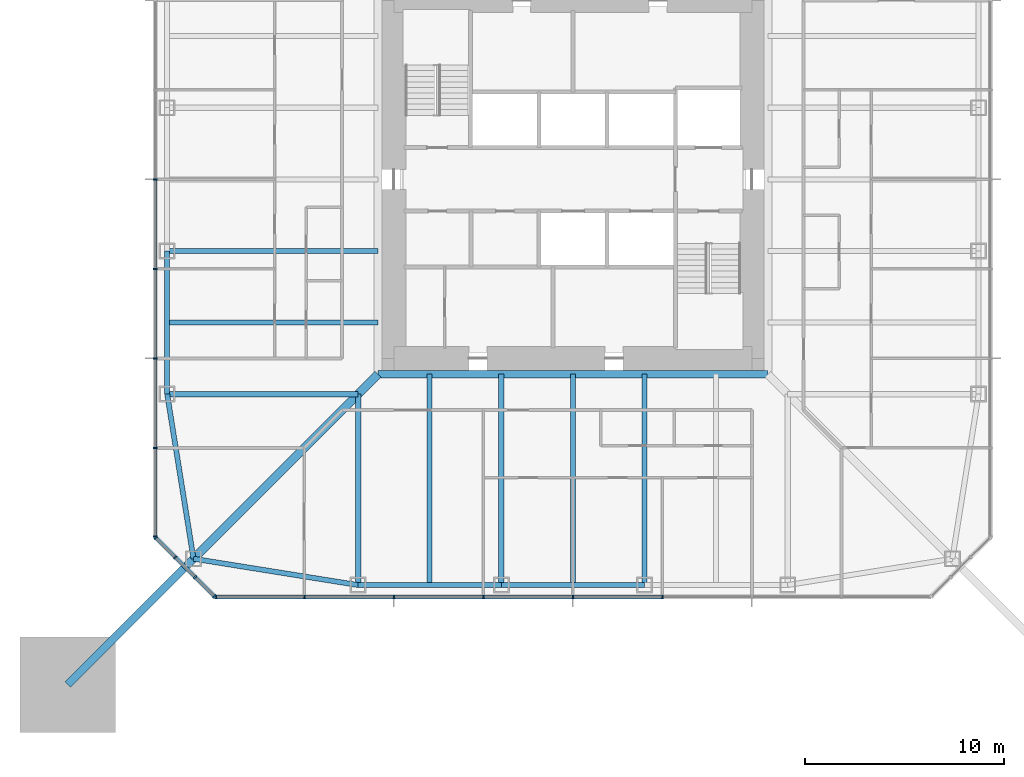
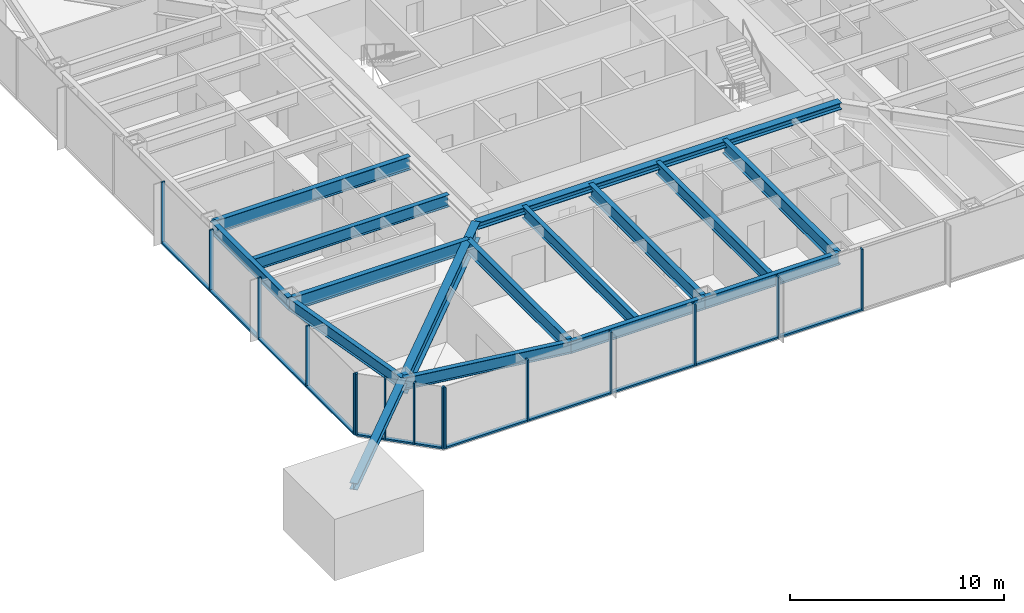
# One storey, part 3 of 25: 28 members, 15 beams, 3 elements without a shape of their own.
"""IFC4 building model written with IfcOpenShell, lengths in metres."""

from ifc_helpers import new_model, si_unit, direction, frame, origin, origin_2d, place, context, subcontext, project, spatial, rectangle, i_section, extrude, material, material_profile, profile_set, type_object, element, aggregate, save


model = new_model("IFC4")

# Units and contexts
model_context = context("Model", 3, precision=1e-05, world=origin(), true_north=direction((0.0, 1.0)))
body_context = subcontext(model_context, "Body", "Model", "MODEL_VIEW")
ifc_project = project(units=[si_unit("LENGTHUNIT", "METRE"), si_unit("AREAUNIT", "SQUARE_METRE"), si_unit("VOLUMEUNIT", "CUBIC_METRE"), si_unit("PLANEANGLEUNIT", "RADIAN"), si_unit("MASSUNIT", "GRAM", prefix="KILO")], contexts=[model_context])

# Site, building, storey
site_placement = place(None, origin())
site = spatial("IfcSite", under=ifc_project, at=site_placement, CompositionType="ELEMENT")
building_placement = place(site_placement, origin())
building = spatial("IfcBuilding", under=site, at=building_placement, Name="Iwan Alto Co-Living Towers", CompositionType="ELEMENT")
storey_placement = place(building_placement, frame((0.0, 0.0, 112.0)))
storey = spatial("IfcBuildingStorey", under=building, at=storey_placement, Name="L30", CompositionType="ELEMENT", Elevation=112.0)

# Curtain wall, members
ifc_material_1 = material(Name="Bronze aluminium unitised frame", Category="aluminium")
curtain_wall_type_1 = type_object("IfcCurtainWallType", Name="CURTAIN WALL CW-A", PredefinedType="NOTDEFINED", material=ifc_material_1)
curtain_wall_1_placement = place(storey_placement, origin())
curtain_wall_1 = element("IfcCurtainWall", 1, at=curtain_wall_1_placement, inside=storey, type_object=curtain_wall_type_1, Name="T1 curtain wall S L30", PredefinedType="NOTDEFINED")
ifc_material_2 = material(Name="Aluminium 6063-T6 bronze anodised", Category="aluminium")
ifc_material_profile_1 = material_profile(ifc_material_2, rectangle(XDim=0.199951171875, YDim=0.080078125, at=origin_2d()), Name="AL 80X200")
ifc_profile_set_1 = profile_set([ifc_material_profile_1], Name="Aluminium 6063-T6 bronze anodised")
member_type_1 = type_object("IfcMemberType", Name="CW-A MULLION 80X200", PredefinedType="MULLION", material=ifc_profile_set_1)
member_1_placement = place(storey_placement, frame((-17.9599609375, -21.0, 0.0), z_axis=(0.0, 0.0, 1.0), x_axis=(0.0, 1.0, 0.0)))
member_1 = element("IfcMember", 2, at=member_1_placement, type_object=member_type_1, Name="CW-A mullion 1", PredefinedType="MULLION", context=body_context, shape_type="SweptSolid", body=[
    extrude(rectangle(XDim=0.199951171875, YDim=0.080078125, at=origin_2d()), origin(), (0.0, 0.0, 1.0), 3.5),
])
member_2_placement = place(storey_placement, frame((-13.5, -21.0, 0.0), z_axis=(0.0, 0.0, 1.0), x_axis=(0.0, 1.0, 0.0)))
member_2 = element("IfcMember", 3, at=member_2_placement, type_object=member_type_1, Name="CW-A mullion 2", PredefinedType="MULLION", context=body_context, shape_type="SweptSolid", body=[
    extrude(rectangle(XDim=0.199951171875, YDim=0.080078125, at=origin_2d()), origin(), (0.0, 0.0, 1.0), 3.5),
])
member_3_placement = place(storey_placement, frame((-9.0, -21.0, 0.0), z_axis=(0.0, 0.0, 1.0), x_axis=(0.0, 1.0, 0.0)))
member_3 = element("IfcMember", 4, at=member_3_placement, type_object=member_type_1, Name="CW-A mullion 3", PredefinedType="MULLION", context=body_context, shape_type="SweptSolid", body=[
    extrude(rectangle(XDim=0.199951171875, YDim=0.080078125, at=origin_2d()), origin(), (0.0, 0.0, 1.0), 3.5),
])
member_4_placement = place(storey_placement, frame((-4.5, -21.0, 0.0), z_axis=(0.0, 0.0, 1.0), x_axis=(0.0, 1.0, 0.0)))
member_4 = element("IfcMember", 5, at=member_4_placement, type_object=member_type_1, Name="CW-A mullion 4", PredefinedType="MULLION", context=body_context, shape_type="SweptSolid", body=[
    extrude(rectangle(XDim=0.199951171875, YDim=0.080078125, at=origin_2d()), origin(), (0.0, 0.0, 1.0), 3.5),
])
member_5_placement = place(storey_placement, frame((0.0, -21.0, 0.0), z_axis=(0.0, 0.0, 1.0), x_axis=(0.0, 1.0, 0.0)))
member_5 = element("IfcMember", 6, at=member_5_placement, type_object=member_type_1, Name="CW-A mullion 5", PredefinedType="MULLION", context=body_context, shape_type="SweptSolid", body=[
    extrude(rectangle(XDim=0.199951171875, YDim=0.080078125, at=origin_2d()), origin(), (0.0, 0.0, 1.0), 3.5),
])
member_6_placement = place(storey_placement, frame((4.5, -21.0, 0.0), z_axis=(0.0, 0.0, 1.0), x_axis=(0.0, 1.0, 0.0)))
member_6 = element("IfcMember", 7, at=member_6_placement, type_object=member_type_1, Name="CW-A mullion 6", PredefinedType="MULLION", context=body_context, shape_type="SweptSolid", body=[
    extrude(rectangle(XDim=0.199951171875, YDim=0.080078125, at=origin_2d()), origin(), (0.0, 0.0, 1.0), 3.5),
])

curtain_wall_2_placement = place(storey_placement, origin())
curtain_wall_2 = element("IfcCurtainWall", 8, at=curtain_wall_2_placement, inside=storey, type_object=curtain_wall_type_1, Name="T1 curtain wall W L30", PredefinedType="NOTDEFINED")
member_7_placement = place(storey_placement, frame((-21.0, 0.0, 0.0), z_axis=(0.0, 0.0, 1.0), x_axis=(1.0, 0.0, 0.0)))
member_7 = element("IfcMember", 9, at=member_7_placement, type_object=member_type_1, Name="CW-A mullion 5", PredefinedType="MULLION", context=body_context, shape_type="SweptSolid", body=[
    extrude(rectangle(XDim=0.199951171875, YDim=0.080078125, at=origin_2d()), origin(), (0.0, 0.0, 1.0), 3.5),
])
member_8_placement = place(storey_placement, frame((-21.0, -4.5, 0.0), z_axis=(0.0, 0.0, 1.0), x_axis=(1.0, 0.0, 0.0)))
member_8 = element("IfcMember", 10, at=member_8_placement, type_object=member_type_1, Name="CW-A mullion 6", PredefinedType="MULLION", context=body_context, shape_type="SweptSolid", body=[
    extrude(rectangle(XDim=0.199951171875, YDim=0.080078125, at=origin_2d()), origin(), (0.0, 0.0, 1.0), 3.5),
])
member_9_placement = place(storey_placement, frame((-21.0, -9.0, 0.0), z_axis=(0.0, 0.0, 1.0), x_axis=(1.0, 0.0, 0.0)))
member_9 = element("IfcMember", 11, at=member_9_placement, type_object=member_type_1, Name="CW-A mullion 7", PredefinedType="MULLION", context=body_context, shape_type="SweptSolid", body=[
    extrude(rectangle(XDim=0.199951171875, YDim=0.080078125, at=origin_2d()), origin(), (0.0, 0.0, 1.0), 3.5),
])
member_10_placement = place(storey_placement, frame((-21.0, -13.5, 0.0), z_axis=(0.0, 0.0, 1.0), x_axis=(1.0, 0.0, 0.0)))
member_10 = element("IfcMember", 12, at=member_10_placement, type_object=member_type_1, Name="CW-A mullion 8", PredefinedType="MULLION", context=body_context, shape_type="SweptSolid", body=[
    extrude(rectangle(XDim=0.199951171875, YDim=0.080078125, at=origin_2d()), origin(), (0.0, 0.0, 1.0), 3.5),
])
member_11_placement = place(storey_placement, frame((-21.0, -17.9599609375, 0.0), z_axis=(0.0, 0.0, 1.0), x_axis=(1.0, 0.0, 0.0)))
member_11 = element("IfcMember", 13, at=member_11_placement, type_object=member_type_1, Name="CW-A mullion 9", PredefinedType="MULLION", context=body_context, shape_type="SweptSolid", body=[
    extrude(rectangle(XDim=0.199951171875, YDim=0.080078125, at=origin_2d()), origin(), (0.0, 0.0, 1.0), 3.5),
])

# Member
ifc_material_3 = material(Name="Aluminium 6063-T6 bronze anodised", Category="aluminium")
ifc_material_profile_2 = material_profile(ifc_material_3, rectangle(XDim=0.199951171875, YDim=0.10009765625, at=origin_2d()), Name="AL 200X100")
ifc_profile_set_2 = profile_set([ifc_material_profile_2], Name="Aluminium 6063-T6 bronze anodised")
member_type_2 = type_object("IfcMemberType", Name="CW-A TRANSOM 200X100", PredefinedType="USERDEFINED", material=ifc_profile_set_2)
member_12_placement = place(storey_placement, frame((-17.919921875, -21.0, 0.050048828125), z_axis=(1.0, 0.0, 0.0), x_axis=(0.0, 1.0, 0.0)))
member_12 = element("IfcMember", 14, at=member_12_placement, type_object=member_type_2, Name="CW-A transom 1.1", ObjectType="TRANSOM", PredefinedType="USERDEFINED", context=body_context, shape_type="SweptSolid", body=[
    extrude(rectangle(XDim=0.199951171875, YDim=0.10009765625, at=origin_2d()), origin(), (0.0, 0.0, 1.0), 4.3798828125),
])

member_13_placement = place(storey_placement, frame((-13.4599609375, -21.0, 0.050048828125), z_axis=(1.0, 0.0, 0.0), x_axis=(0.0, 1.0, 0.0)))
member_13 = element("IfcMember", 15, at=member_13_placement, type_object=member_type_2, Name="CW-A transom 2.1", ObjectType="TRANSOM", PredefinedType="USERDEFINED", context=body_context, shape_type="SweptSolid", body=[
    extrude(rectangle(XDim=0.199951171875, YDim=0.10009765625, at=origin_2d()), origin(), (0.0, 0.0, 1.0), 4.419921875),
])

member_14_placement = place(storey_placement, frame((-8.9599609375, -21.0, 0.050048828125), z_axis=(1.0, 0.0, 0.0), x_axis=(0.0, 1.0, 0.0)))
member_14 = element("IfcMember", 16, at=member_14_placement, type_object=member_type_2, Name="CW-A transom 3.1", ObjectType="TRANSOM", PredefinedType="USERDEFINED", context=body_context, shape_type="SweptSolid", body=[
    extrude(rectangle(XDim=0.199951171875, YDim=0.10009765625, at=origin_2d()), origin(), (0.0, 0.0, 1.0), 4.419921875),
])

member_15_placement = place(storey_placement, frame((-4.4599609375, -21.0, 0.050048828125), z_axis=(1.0, 0.0, 0.0), x_axis=(0.0, 1.0, 0.0)))
member_15 = element("IfcMember", 17, at=member_15_placement, type_object=member_type_2, Name="CW-A transom 4.1", ObjectType="TRANSOM", PredefinedType="USERDEFINED", context=body_context, shape_type="SweptSolid", body=[
    extrude(rectangle(XDim=0.199951171875, YDim=0.10009765625, at=origin_2d()), origin(), (0.0, 0.0, 1.0), 4.419921875),
])

member_16_placement = place(storey_placement, frame((0.0400390625, -21.0, 0.050048828125), z_axis=(1.0, 0.0, 0.0), x_axis=(0.0, 1.0, 0.0)))
member_16 = element("IfcMember", 18, at=member_16_placement, type_object=member_type_2, Name="CW-A transom 5.1", ObjectType="TRANSOM", PredefinedType="USERDEFINED", context=body_context, shape_type="SweptSolid", body=[
    extrude(rectangle(XDim=0.199951171875, YDim=0.10009765625, at=origin_2d()), origin(), (0.0, 0.0, 1.0), 4.419921875),
])

aggregate(curtain_wall_1, [member_1, member_2, member_3, member_4, member_5, member_6, member_12, member_13, member_14, member_15, member_16])

member_17_placement = place(storey_placement, frame((-21.0, -0.0400390625, 0.050048828125), z_axis=(0.0, -1.0, 0.0), x_axis=(1.0, 0.0, 0.0)))
member_17 = element("IfcMember", 19, at=member_17_placement, type_object=member_type_2, Name="CW-A transom 5.1", ObjectType="TRANSOM", PredefinedType="USERDEFINED", context=body_context, shape_type="SweptSolid", body=[
    extrude(rectangle(XDim=0.199951171875, YDim=0.10009765625, at=origin_2d()), origin(), (0.0, 0.0, 1.0), 4.419921875),
])

member_18_placement = place(storey_placement, frame((-21.0, -4.5400390625, 0.050048828125), z_axis=(0.0, -1.0, 0.0), x_axis=(1.0, 0.0, 0.0)))
member_18 = element("IfcMember", 20, at=member_18_placement, type_object=member_type_2, Name="CW-A transom 6.1", ObjectType="TRANSOM", PredefinedType="USERDEFINED", context=body_context, shape_type="SweptSolid", body=[
    extrude(rectangle(XDim=0.199951171875, YDim=0.10009765625, at=origin_2d()), origin(), (0.0, 0.0, 1.0), 4.419921875),
])

member_19_placement = place(storey_placement, frame((-21.0, -9.0400390625, 0.050048828125), z_axis=(0.0, -1.0, 0.0), x_axis=(1.0, 0.0, 0.0)))
member_19 = element("IfcMember", 21, at=member_19_placement, type_object=member_type_2, Name="CW-A transom 7.1", ObjectType="TRANSOM", PredefinedType="USERDEFINED", context=body_context, shape_type="SweptSolid", body=[
    extrude(rectangle(XDim=0.199951171875, YDim=0.10009765625, at=origin_2d()), origin(), (0.0, 0.0, 1.0), 4.419921875),
])

member_20_placement = place(storey_placement, frame((-21.0, -13.5400390625, 0.050048828125), z_axis=(0.0, -1.0, 0.0), x_axis=(1.0, 0.0, 0.0)))
member_20 = element("IfcMember", 22, at=member_20_placement, type_object=member_type_2, Name="CW-A transom 8.1", ObjectType="TRANSOM", PredefinedType="USERDEFINED", context=body_context, shape_type="SweptSolid", body=[
    extrude(rectangle(XDim=0.199951171875, YDim=0.10009765625, at=origin_2d()), origin(), (0.0, 0.0, 1.0), 4.3798828125),
])

aggregate(curtain_wall_2, [member_7, member_8, member_9, member_10, member_11, member_17, member_18, member_19, member_20])

# Curtain wall, members
ifc_material_4 = material(Name="Bronze aluminium unitised frame", Category="aluminium")
curtain_wall_type_2 = type_object("IfcCurtainWallType", Name="CURTAIN WALL CW-B", PredefinedType="NOTDEFINED", material=ifc_material_4)
curtain_wall_3_placement = place(storey_placement, origin())
curtain_wall_3 = element("IfcCurtainWall", 23, at=curtain_wall_3_placement, inside=storey, type_object=curtain_wall_type_2, Name="T1 chamfer curtain wall SW L30", PredefinedType="NOTDEFINED")
ifc_material_5 = material(Name="Aluminium 6063-T6 bronze anodised", Category="aluminium")
ifc_material_profile_3 = material_profile(ifc_material_5, rectangle(XDim=0.199951171875, YDim=0.080078125, at=origin_2d()), Name="AL 80X200")
ifc_profile_set_3 = profile_set([ifc_material_profile_3], Name="Aluminium 6063-T6 bronze anodised")
member_type_3 = type_object("IfcMemberType", Name="CW-B MULLION 80X200", PredefinedType="MULLION", material=ifc_profile_set_3)
member_21_placement = place(storey_placement, frame((-20.9716796875, -18.0283203125, 0.0), z_axis=(0.0, 0.0, 1.0), x_axis=(0.707106781187, 0.707106781187, 0.0)))
member_21 = element("IfcMember", 24, at=member_21_placement, type_object=member_type_3, Name="CW-B mullion 1", PredefinedType="MULLION", context=body_context, shape_type="SweptSolid", body=[
    extrude(rectangle(XDim=0.199951171875, YDim=0.080078125, at=origin_2d()), origin(), (0.0, 0.0, 1.0), 3.5),
])
member_22_placement = place(storey_placement, frame((-20.0, -19.0, 0.0), z_axis=(0.0, 0.0, 1.0), x_axis=(0.707106781187, 0.707106781187, 0.0)))
member_22 = element("IfcMember", 25, at=member_22_placement, type_object=member_type_3, Name="CW-B mullion 2", PredefinedType="MULLION", context=body_context, shape_type="SweptSolid", body=[
    extrude(rectangle(XDim=0.199951171875, YDim=0.080078125, at=origin_2d()), origin(), (0.0, 0.0, 1.0), 3.5),
])
member_23_placement = place(storey_placement, frame((-19.0, -20.0, 0.0), z_axis=(0.0, 0.0, 1.0), x_axis=(0.707106781187, 0.707106781187, 0.0)))
member_23 = element("IfcMember", 26, at=member_23_placement, type_object=member_type_3, Name="CW-B mullion 3", PredefinedType="MULLION", context=body_context, shape_type="SweptSolid", body=[
    extrude(rectangle(XDim=0.199951171875, YDim=0.080078125, at=origin_2d()), origin(), (0.0, 0.0, 1.0), 3.5),
])
member_24_placement = place(storey_placement, frame((-18.0283203125, -20.9716796875, 0.0), z_axis=(0.0, 0.0, 1.0), x_axis=(0.707106781187, 0.707106781187, 0.0)))
member_24 = element("IfcMember", 27, at=member_24_placement, type_object=member_type_3, Name="CW-B mullion 4", PredefinedType="MULLION", context=body_context, shape_type="SweptSolid", body=[
    extrude(rectangle(XDim=0.199951171875, YDim=0.080078125, at=origin_2d()), origin(), (0.0, 0.0, 1.0), 3.5),
])
ifc_material_6 = material(Name="Aluminium 6063-T6 bronze anodised", Category="aluminium")
ifc_material_profile_4 = material_profile(ifc_material_6, rectangle(XDim=0.199951171875, YDim=0.10009765625, at=origin_2d()), Name="AL 200X100")
ifc_profile_set_4 = profile_set([ifc_material_profile_4], Name="Aluminium 6063-T6 bronze anodised")
member_type_4 = type_object("IfcMemberType", Name="CW-B TRANSOM 200X100", PredefinedType="USERDEFINED", material=ifc_profile_set_4)
member_25_placement = place(storey_placement, frame((-20.943359375, -18.056640625, 0.050048828125), z_axis=(0.707106781187, -0.707106781187, 0.0), x_axis=(0.707106781187, 0.707106781187, 0.0)))
member_25 = element("IfcMember", 28, at=member_25_placement, type_object=member_type_4, Name="CW-B transom 1.1", ObjectType="TRANSOM", PredefinedType="USERDEFINED", context=body_context, shape_type="SweptSolid", body=[
    extrude(rectangle(XDim=0.199951171875, YDim=0.10009765625, at=origin_2d()), origin(), (0.0, 0.0, 1.0), 1.2939453125),
])
member_26_placement = place(storey_placement, frame((-19.9716796875, -19.0283203125, 0.050048828125), z_axis=(0.707106781187, -0.707106781187, 0.0), x_axis=(0.707106781187, 0.707106781187, 0.0)))
member_26 = element("IfcMember", 29, at=member_26_placement, type_object=member_type_4, Name="CW-B transom 2.1", ObjectType="TRANSOM", PredefinedType="USERDEFINED", context=body_context, shape_type="SweptSolid", body=[
    extrude(rectangle(XDim=0.199951171875, YDim=0.10009765625, at=origin_2d()), origin(), (0.0, 0.0, 1.0), 1.334228515625),
])
member_27_placement = place(storey_placement, frame((-18.9716796875, -20.0283203125, 0.050048828125), z_axis=(0.707106781187, -0.707106781187, 0.0), x_axis=(0.707106781187, 0.707106781187, 0.0)))
member_27 = element("IfcMember", 30, at=member_27_placement, type_object=member_type_4, Name="CW-B transom 3.1", ObjectType="TRANSOM", PredefinedType="USERDEFINED", context=body_context, shape_type="SweptSolid", body=[
    extrude(rectangle(XDim=0.199951171875, YDim=0.10009765625, at=origin_2d()), origin(), (0.0, 0.0, 1.0), 1.2939453125),
])
aggregate(curtain_wall_3, [member_21, member_22, member_23, member_24, member_25, member_26, member_27])

# Beams
ifc_material_7 = material(Name="Steel ASTM A992 Gr 50", Category="steel")
ifc_material_profile_5 = material_profile(ifc_material_7, i_section(OverallWidth=0.398681640625, OverallDepth=0.385986328125, WebThickness=0.02099609375, FlangeThickness=0.033203125, at=origin_2d()), Name="W14X176")
ifc_profile_set_5 = profile_set([ifc_material_profile_5], Name="Steel ASTM A992 Gr 50")
beam_type_1 = type_object("IfcBeamType", Name="T1 CORE LEDGER BEAM W14X176", PredefinedType="BEAM", material=ifc_profile_set_5)
beam_1_placement = place(storey_placement, frame((-9.79931640625, -9.79931640625, 3.076904296875), z_axis=(1.0, 0.0, 0.0), x_axis=(0.0, 1.0, 0.0)))
element("IfcBeam", 31, at=beam_1_placement, inside=storey, type_object=beam_type_1, Name="T1 core ledger beam S L31", PredefinedType="BEAM", context=body_context, shape_type="SweptSolid", body=[
    extrude(i_section(OverallWidth=0.398681640625, OverallDepth=0.385986328125, WebThickness=0.02099609375, FlangeThickness=0.033203125, at=origin_2d()), origin(), (0.0, 0.0, 1.0), 19.5986328125),
])
ifc_material_8 = material(Name="Steel ASTM A992 Gr 50", Category="steel")
ifc_material_profile_6 = material_profile(ifc_material_8, i_section(OverallWidth=0.419189453125, OverallDepth=0.927001953125, WebThickness=0.019287109375, FlangeThickness=0.031982421875, at=origin_2d()), Name="W36X231")
ifc_profile_set_6 = profile_set([ifc_material_profile_6], Name="Steel ASTM A992 Gr 50")
beam_type_2 = type_object("IfcBeamType", Name="T1 CORNER GIRDER W36X231", PredefinedType="BEAM", material=ifc_profile_set_6)
beam_2_placement = place(storey_placement, frame((-19.07568359375, -19.07568359375, 2.806396484375), z_axis=(0.707106781187, 0.707106781187, 0.0), x_axis=(-0.707106781187, 0.707106781187, 0.0)))
element("IfcBeam", 32, at=beam_2_placement, inside=storey, type_object=beam_type_2, Name="T1 corner girder CSW L31", PredefinedType="BEAM", context=body_context, shape_type="SweptSolid", body=[
    extrude(i_section(OverallWidth=0.419189453125, OverallDepth=0.927001953125, WebThickness=0.019287109375, FlangeThickness=0.031982421875, at=origin_2d()), origin(), (0.0, 0.0, 1.0), 13.11865234375),
])
ifc_material_9 = material(Name="Steel ASTM A992 Gr 50", Category="steel")
ifc_material_profile_7 = material_profile(ifc_material_9, i_section(OverallWidth=0.25390625, OverallDepth=0.683349609375, WebThickness=0.012451171875, FlangeThickness=0.018798828125, at=origin_2d()), Name="W27X94")
ifc_profile_set_7 = profile_set([ifc_material_profile_7], Name="Steel ASTM A992 Gr 50")
beam_type_3 = type_object("IfcBeamType", Name="T1 EDGE BEAM W27X94", PredefinedType="BEAM", material=ifc_profile_set_7)
beam_3_placement = place(storey_placement, frame((-19.07568359375, -19.07568359375, 2.928466796875), z_axis=(0.987438450439, -0.158004134737, 0.0), x_axis=(0.158004134737, 0.987438450439, 0.0)))
element("IfcBeam", 33, at=beam_3_placement, inside=storey, type_object=beam_type_3, Name="T1 edge beam CSW L31", PredefinedType="BEAM", context=body_context, shape_type="SweptSolid", body=[
    extrude(i_section(OverallWidth=0.25390625, OverallDepth=0.683349609375, WebThickness=0.012451171875, FlangeThickness=0.018798828125, at=origin_2d()), origin(), (0.0, 0.0, 1.0), 8.380859375),
])
beam_4_placement = place(storey_placement, frame((-10.800048828125, -20.39990234375, 2.928466796875), z_axis=(1.0, 0.0, 0.0), x_axis=(0.0, 1.0, 0.0)))
element("IfcBeam", 34, at=beam_4_placement, inside=storey, type_object=beam_type_3, Name="T1 edge beam S1 L31", PredefinedType="BEAM", context=body_context, shape_type="SweptSolid", body=[
    extrude(i_section(OverallWidth=0.25390625, OverallDepth=0.683349609375, WebThickness=0.012451171875, FlangeThickness=0.018798828125, at=origin_2d()), origin(), (0.0, 0.0, 1.0), 7.199951171875),
])
beam_5_placement = place(storey_placement, frame((-3.60009765625, -20.39990234375, 2.928466796875), z_axis=(1.0, 0.0, 0.0), x_axis=(0.0, 1.0, 0.0)))
element("IfcBeam", 35, at=beam_5_placement, inside=storey, type_object=beam_type_3, Name="T1 edge beam S2 L31", PredefinedType="BEAM", context=body_context, shape_type="SweptSolid", body=[
    extrude(i_section(OverallWidth=0.25390625, OverallDepth=0.683349609375, WebThickness=0.012451171875, FlangeThickness=0.018798828125, at=origin_2d()), origin(), (0.0, 0.0, 1.0), 7.2001953125),
])
beam_6_placement = place(storey_placement, frame((-20.39990234375, -3.60009765625, 2.928466796875), z_axis=(0.0, -1.0, 0.0), x_axis=(1.0, 0.0, 0.0)))
element("IfcBeam", 36, at=beam_6_placement, inside=storey, type_object=beam_type_3, Name="T1 edge beam W3 L31", PredefinedType="BEAM", context=body_context, shape_type="SweptSolid", body=[
    extrude(i_section(OverallWidth=0.25390625, OverallDepth=0.683349609375, WebThickness=0.012451171875, FlangeThickness=0.018798828125, at=origin_2d()), origin(), (0.0, 0.0, 1.0), 7.199951171875),
])
beam_7_placement = place(storey_placement, frame((-20.39990234375, -10.800048828125, 2.928466796875), z_axis=(0.158004134737, -0.987438450439, 0.0), x_axis=(0.987438450439, 0.158004134737, 0.0)))
element("IfcBeam", 37, at=beam_7_placement, inside=storey, type_object=beam_type_3, Name="T1 edge beam W4 L31", PredefinedType="BEAM", context=body_context, shape_type="SweptSolid", body=[
    extrude(i_section(OverallWidth=0.25390625, OverallDepth=0.683349609375, WebThickness=0.012451171875, FlangeThickness=0.018798828125, at=origin_2d()), origin(), (0.0, 0.0, 1.0), 8.380859375),
])

# Member
ifc_material_10 = material(Name="Steel ASTM A992 Gr 50", Category="steel")
ifc_material_profile_8 = material_profile(ifc_material_10, i_section(OverallWidth=0.393798828125, OverallDepth=0.3759765625, WebThickness=0.017333984375, FlangeThickness=0.027587890625, at=origin_2d()), Name="W14X145")
ifc_profile_set_8 = profile_set([ifc_material_profile_8], Name="Steel ASTM A992 Gr 50")
member_type_5 = type_object("IfcMemberType", Name="T1 MEGA COLUMN FLOOR TIE W14X145", PredefinedType="STRUT", material=ifc_profile_set_8)
member_28_placement = place(storey_placement, frame((-25.39990234375, -25.39990234375, 3.08203125), z_axis=(0.707106781187, 0.707106781187, 0.0), x_axis=(-0.707106781187, 0.707106781187, 0.0)))
element("IfcMember", 38, at=member_28_placement, inside=storey, type_object=member_type_5, Name="T1 mega column floor tie SW L31", PredefinedType="STRUT", context=body_context, shape_type="SweptSolid", body=[
    extrude(i_section(OverallWidth=0.393798828125, OverallDepth=0.3759765625, WebThickness=0.017333984375, FlangeThickness=0.027587890625, at=origin_2d()), origin(), (0.0, 0.0, 1.0), 8.94384765625),
])

# Beams
ifc_material_11 = material(Name="Steel ASTM A992 Gr 50", Category="steel")
ifc_material_profile_9 = material_profile(ifc_material_11, i_section(OverallWidth=0.2666015625, OverallDepth=0.761962890625, WebThickness=0.014404296875, FlangeThickness=0.021484375, at=origin_2d()), Name="W30X116")
ifc_profile_set_9 = profile_set([ifc_material_profile_9], Name="Steel ASTM A992 Gr 50")
beam_type_4 = type_object("IfcBeamType", Name="T1 RADIAL BEAM W30X116", PredefinedType="BEAM", material=ifc_profile_set_9)
beam_8_placement = place(storey_placement, frame((-10.800048828125, -20.39990234375, 2.888916015625), z_axis=(0.0, 1.0, 0.0), x_axis=(-1.0, 0.0, 0.0)))
element("IfcBeam", 39, at=beam_8_placement, inside=storey, type_object=beam_type_4, Name="T1 radial beam S1 L31", PredefinedType="BEAM", context=body_context, shape_type="SweptSolid", body=[
    extrude(i_section(OverallWidth=0.2666015625, OverallDepth=0.761962890625, WebThickness=0.014404296875, FlangeThickness=0.021484375, at=origin_2d()), origin(), (0.0, 0.0, 1.0), 9.599853515625),
])
for number, where, z_axis, x_axis, name in (
    (40, (-3.60009765625, -20.39990234375, 2.888916015625), (0.0, 1.0, 0.0), (-1.0, 0.0, 0.0), "T1 radial beam S2 L31"),
    (41, (3.60009765625, -20.39990234375, 2.888916015625), (0.0, 1.0, 0.0), (-1.0, 0.0, 0.0), "T1 radial beam S3 L31"),
    (42, (-20.39990234375, -3.60009765625, 2.888916015625), (1.0, 0.0, 0.0), (0.0, 1.0, 0.0), "T1 radial beam W3 L31"),
):
    element("IfcBeam", number, at=place(storey_placement, frame(where, z_axis=z_axis, x_axis=x_axis)), inside=storey, type_object=beam_type_4, Name=name, PredefinedType="BEAM", context=body_context, shape_type="SweptSolid", body=[
        extrude(i_section(OverallWidth=0.2666015625, OverallDepth=0.761962890625, WebThickness=0.014404296875, FlangeThickness=0.021484375, at=origin_2d()), origin(), (0.0, 0.0, 1.0), 10.6005859375),
    ])
beam_9_placement = place(storey_placement, frame((-20.39990234375, -10.800048828125, 2.888916015625), z_axis=(1.0, 0.0, 0.0), x_axis=(0.0, 1.0, 0.0)))
element("IfcBeam", 43, at=beam_9_placement, inside=storey, type_object=beam_type_4, Name="T1 radial beam W4 L31", PredefinedType="BEAM", context=body_context, shape_type="SweptSolid", body=[
    extrude(i_section(OverallWidth=0.2666015625, OverallDepth=0.761962890625, WebThickness=0.014404296875, FlangeThickness=0.021484375, at=origin_2d()), origin(), (0.0, 0.0, 1.0), 9.599853515625),
])
ifc_material_12 = material(Name="Steel ASTM A992 Gr 50", Category="steel")
ifc_material_profile_10 = material_profile(ifc_material_12, i_section(OverallWidth=0.25390625, OverallDepth=0.683349609375, WebThickness=0.012451171875, FlangeThickness=0.018798828125, at=origin_2d()), Name="W27X94")
ifc_profile_set_10 = profile_set([ifc_material_profile_10], Name="Steel ASTM A992 Gr 50")
beam_type_5 = type_object("IfcBeamType", Name="T1 SECONDARY BEAM W27X94", PredefinedType="JOIST", material=ifc_profile_set_10)
for number, where, z_axis, x_axis, name in (
    (44, (-7.199951171875, -20.39990234375, 2.928466796875), (0.0, 1.0, 0.0), (-1.0, 0.0, 0.0), "T1 secondary beam S1 L31"),
    (45, (0.0, -20.39990234375, 2.928466796875), (0.0, 1.0, 0.0), (-1.0, 0.0, 0.0), "T1 secondary beam S2 L31"),
    (46, (-20.39990234375, -7.199951171875, 2.928466796875), (1.0, 0.0, 0.0), (0.0, 1.0, 0.0), "T1 secondary beam W3 L31"),
):
    element("IfcBeam", number, at=place(storey_placement, frame(where, z_axis=z_axis, x_axis=x_axis)), inside=storey, type_object=beam_type_5, Name=name, PredefinedType="JOIST", context=body_context, shape_type="SweptSolid", body=[
        extrude(i_section(OverallWidth=0.25390625, OverallDepth=0.683349609375, WebThickness=0.012451171875, FlangeThickness=0.018798828125, at=origin_2d()), origin(), (0.0, 0.0, 1.0), 10.6005859375),
    ])

save(model, "model.ifc")
